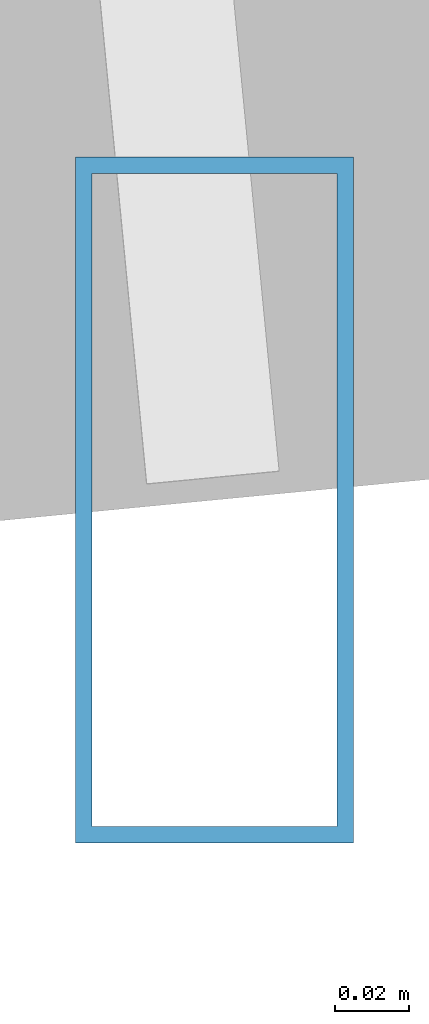
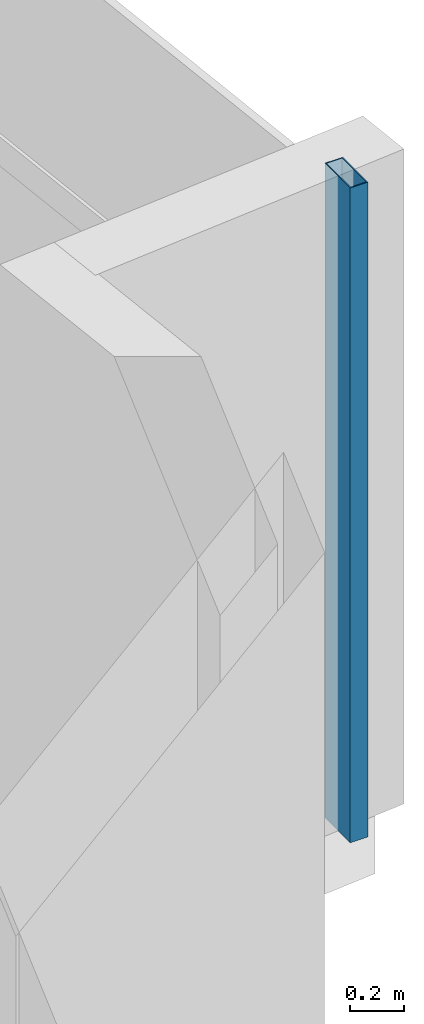
# One storey, part 14 of 27: 1 member, 1 element without a shape of its own.
"""IFC4 building model written with IfcOpenShell, lengths in metres."""

import ifcopenshell
import ifcopenshell.guid

model = None  # the IFC model being written
_history = None  # IfcOwnerHistory: only IFC2X3 demands one
_inside = {}  # id of a spatial element -> (the spatial element, [elements in it])
_under = {}  # id of a project, library or spatial element -> (it, [spatial elements below it])
_declared = {}  # id of a project -> (the project, [libraries it declares])
_typed = {}  # id of a type object -> (the type object, [elements of that type])
_made_of = {}  # id of a material, layer set ... -> (it, [elements and type objects made of it])


def new_model(schema):
    """Start an empty IFC model of exactly this schema.

    Asked for "IFC4X3", IfcOpenShell would pick the latest addendum, in which some entities
    have other attributes; the version numbers below select the first issue.
    IFC2X3 requires an IfcOwnerHistory on every rooted entity: one is made here for all.
    """
    global model, _history
    if schema == "IFC4X3":
        model = ifcopenshell.file(schema_version=(4, 3, 0, 0))
    else:
        model = ifcopenshell.file(schema=schema)
    _inside.clear()
    _under.clear()
    _declared.clear()
    _typed.clear()
    _made_of.clear()
    _history = None
    if model.schema == "IFC2X3":
        org = make("IfcOrganization", Name="unknown")
        user = make(
            "IfcPersonAndOrganization",
            ThePerson=make("IfcPerson", FamilyName="unknown"),
            TheOrganization=org,
        )
        app = make(
            "IfcApplication",
            ApplicationDeveloper=org,
            Version="unknown",
            ApplicationFullName="unknown",
            ApplicationIdentifier="unknown",
        )
        _history = make(
            "IfcOwnerHistory",
            OwningUser=user,
            OwningApplication=app,
            ChangeAction="ADDED",
            CreationDate=0,
        )
    return model


def make(cls, **values):
    """One entity of the class cls with the attributes given. An attribute that is None is left unset."""
    return model.create_entity(
        cls, **{name: value for name, value in values.items() if value is not None}
    )


def rooted(cls, **values):
    """An entity with a GlobalId (a new one), such as an element, a storey or a relation."""
    return make(cls, GlobalId=ifcopenshell.guid.new(), OwnerHistory=_history, **values)


def si_unit(unit_type, name, prefix=None):
    """IfcSIUnit, for example si_unit("LENGTHUNIT", "METRE", prefix="MILLI")."""
    return make("IfcSIUnit", UnitType=unit_type, Prefix=prefix, Name=name)


def assignment(units):
    """IfcUnitAssignment: the units of a project."""
    return None if units is None else make("IfcUnitAssignment", Units=units)


def point(xyz):
    """IfcCartesianPoint."""
    return None if xyz is None else make("IfcCartesianPoint", Coordinates=xyz)


def direction(xyz):
    """IfcDirection."""
    return None if xyz is None else make("IfcDirection", DirectionRatios=xyz)


def frame(location, z_axis=None, x_axis=None):
    """IfcAxis2Placement3D, a coordinate frame: its origin and axes. An axis left out is left unset."""
    return make(
        "IfcAxis2Placement3D",
        Location=point(location),
        Axis=direction(z_axis),
        RefDirection=direction(x_axis),
    )


def frame_2d(location, x_axis=None):
    """IfcAxis2Placement2D, a coordinate frame in the plane: its origin and x axis."""
    return make(
        "IfcAxis2Placement2D", Location=point(location), RefDirection=direction(x_axis)
    )


def origin():
    """The frame at (0, 0, 0) with its axes left unset."""
    return frame((0.0, 0.0, 0.0))


def origin_2d():
    """The frame at (0, 0) in the plane with its x axis left unset."""
    return frame_2d((0.0, 0.0))


def place(relative_to, where):
    """IfcLocalPlacement: puts the frame where relative to a parent placement (None: the world)."""
    return make(
        "IfcLocalPlacement", PlacementRelTo=relative_to, RelativePlacement=where
    )


def context(
    kind, dimensions, precision=None, world=None, true_north=None, identifier=None
):
    """IfcGeometricRepresentationContext, for example the 3D "Model" context."""
    return make(
        "IfcGeometricRepresentationContext",
        ContextIdentifier=identifier,
        ContextType=kind,
        CoordinateSpaceDimension=dimensions,
        Precision=precision,
        WorldCoordinateSystem=world,
        TrueNorth=true_north,
    )


def subcontext(parent, identifier, kind, view, scale=None):
    """IfcGeometricRepresentationSubContext, for example "Body" below "Model"."""
    return make(
        "IfcGeometricRepresentationSubContext",
        ContextIdentifier=identifier,
        ContextType=kind,
        ParentContext=parent,
        TargetScale=scale,
        TargetView=view,
    )


def project(units=None, contexts=None):
    """IfcProject with its units and contexts."""
    return rooted(
        "IfcProject",
        Name="project",
        RepresentationContexts=contexts,
        UnitsInContext=assignment(units),
    )


def spatial(cls, under=None, at=None, **own):
    """A site, building, storey or space (cls), placed at a placement, below another one or the project."""
    s = rooted(cls, ObjectPlacement=at, **own)
    if under is not None:
        _under.setdefault(under.id(), (under, []))[1].append(s)
    return s


def profile(cls, at=None, kind="AREA", **sizes):
    """A parametric profile (cls). Its sizes go by their IFC names, for example OverallWidth=200.0."""
    return make(cls, ProfileType=kind, Position=at, **sizes)


def hollow_rectangle(**sizes):
    """IfcRectangleHollowProfileDef."""
    return profile("IfcRectangleHollowProfileDef", **sizes)


def extrude(swept, where, along, depth):
    """IfcExtrudedAreaSolid: the profile swept, set in the frame where, extruded along a direction by depth."""
    return make(
        "IfcExtrudedAreaSolid",
        SweptArea=swept,
        Position=where,
        ExtrudedDirection=direction(along),
        Depth=depth,
    )


def shape(context_of_items, identifier, shape_type, items):
    """IfcShapeRepresentation: the items that make up one representation, for example the "Body"."""
    return make(
        "IfcShapeRepresentation",
        ContextOfItems=context_of_items,
        RepresentationIdentifier=identifier,
        RepresentationType=shape_type,
        Items=items,
    )


def source(mapping_origin, context_of_items, identifier, shape_type, items):
    """IfcRepresentationMap: a shape defined once, which mapped items show again and again."""
    return make(
        "IfcRepresentationMap",
        MappingOrigin=mapping_origin,
        MappedRepresentation=shape(context_of_items, identifier, shape_type, items),
    )


def transform(
    local_origin,
    x_axis=None,
    y_axis=None,
    z_axis=None,
    scale=None,
    scale2=None,
    scale3=None,
    uniform=True,
):
    """IfcCartesianTransformationOperator3D, or its non-uniform kind. x_axis, y_axis, z_axis: its Axis1, 2, 3."""
    if uniform:
        return make(
            "IfcCartesianTransformationOperator3D",
            Axis1=direction(x_axis),
            Axis2=direction(y_axis),
            LocalOrigin=point(local_origin),
            Scale=scale,
            Axis3=direction(z_axis),
        )
    return make(
        "IfcCartesianTransformationOperator3DnonUniform",
        Axis1=direction(x_axis),
        Axis2=direction(y_axis),
        LocalOrigin=point(local_origin),
        Scale=scale,
        Axis3=direction(z_axis),
        Scale2=scale2,
        Scale3=scale3,
    )


def mapped(mapping_source, mapping_target):
    """IfcMappedItem: shows the shape of a source again, moved by a transform."""
    return make(
        "IfcMappedItem", MappingSource=mapping_source, MappingTarget=mapping_target
    )


def material(Name=None, Category=None):
    """IfcMaterial."""
    return make("IfcMaterial", Name=Name, Category=Category)


def material_profile(
    of_material, cross_section, Name=None, Category=None, Priority=None
):
    """IfcMaterialProfile: a cross section and its material."""
    return make(
        "IfcMaterialProfile",
        Name=Name,
        Material=of_material,
        Profile=cross_section,
        Priority=Priority,
        Category=Category,
    )


def profile_set(profiles, Name=None, composite=None):
    """IfcMaterialProfileSet."""
    return make(
        "IfcMaterialProfileSet",
        Name=Name,
        MaterialProfiles=profiles,
        CompositeProfile=composite,
    )


def made_of(thing, what):
    """Note that an element or type object is made of a material, layer set ...; save() writes the relation."""
    if what is not None:
        _made_of.setdefault(what.id(), (what, []))[1].append(thing)
    return thing


def type_object(cls, material=None, **own):
    """A type object (cls), such as IfcWallType, which elements share."""
    return made_of(rooted(cls, **own), material)


def type_shapes(of_type, sources):
    """Give a type object the sources (RepresentationMaps) that its elements show as mapped items."""
    of_type.RepresentationMaps = sources


def element(
    cls,
    number,
    at=None,
    inside=None,
    cuts=None,
    type_object=None,
    material=None,
    context=None,
    identifier="Body",
    shape_type=None,
    held_by="IfcProductDefinitionShape",
    body=None,
    shapes=None,
    **own,
):
    """One element of the class cls, such as IfcWall. Its Tag is "e" and its number.

    at: its placement. inside: the storey or other place that contains it. cuts: it is an
    opening in that element (IfcRelVoidsElement). A single representation is given by context,
    identifier, shape_type and body (its items); several are given by shapes. held_by: the class
    of the entity that holds the representations. save() writes the other relations.
    """
    e = rooted(cls, Tag="e%d" % number, ObjectPlacement=at, **own)
    if body is not None:
        shapes = [shape(context, identifier, shape_type, body)]
    if shapes is not None:
        e.Representation = make(held_by, Representations=shapes)
    if inside is not None:
        _inside.setdefault(inside.id(), (inside, []))[1].append(e)
    if cuts is not None:
        rooted(
            "IfcRelVoidsElement", RelatingBuildingElement=cuts, RelatedOpeningElement=e
        )
    if type_object is not None:
        _typed.setdefault(type_object.id(), (type_object, []))[1].append(e)
    return made_of(e, material)


def aggregate(whole, parts):
    """IfcRelAggregates: a whole, such as a stair, and the parts it consists of."""
    return rooted("IfcRelAggregates", RelatingObject=whole, RelatedObjects=parts)


def save(model, path):
    """Write the relations noted so far, then the file.

    IfcRelAggregates (storeys below a building ...), IfcRelContainedInSpatialStructure (elements
    in a storey), IfcRelDefinesByType, IfcRelAssociatesMaterial and IfcRelDeclares: one each for
    every whole, place, type object, material and project.
    """
    for whole, parts in _under.values():
        aggregate(whole, parts)
    for where, things in _inside.values():
        rooted(
            "IfcRelContainedInSpatialStructure",
            RelatedElements=things,
            RelatingStructure=where,
        )
    for kind, things in _typed.values():
        rooted("IfcRelDefinesByType", RelatedObjects=things, RelatingType=kind)
    for what, things in _made_of.values():
        rooted("IfcRelAssociatesMaterial", RelatedObjects=things, RelatingMaterial=what)
    for by, libraries in _declared.values():
        rooted("IfcRelDeclares", RelatingContext=by, RelatedDefinitions=libraries)
    model.write(path)


model = new_model("IFC4")

# Units and contexts
model_context = context("Model", 3, precision=1e-05, world=origin(), true_north=direction((0.0, 1.0)))
body_context = subcontext(model_context, "Body", "Model", "MODEL_VIEW")
ifc_project = project(units=[si_unit("LENGTHUNIT", "METRE"), si_unit("AREAUNIT", "SQUARE_METRE"), si_unit("VOLUMEUNIT", "CUBIC_METRE"), si_unit("PLANEANGLEUNIT", "RADIAN"), si_unit("MASSUNIT", "GRAM", prefix="KILO")], contexts=[model_context])

# Site, building, storey
site_placement = place(None, origin())
site = spatial("IfcSite", under=ifc_project, at=site_placement, CompositionType="ELEMENT")
building_placement = place(site_placement, origin())
building = spatial("IfcBuilding", under=site, at=building_placement, Name="Astriad Promenade Condominiums", CompositionType="ELEMENT")
storey_placement = place(building_placement, frame((0.0, 0.0, 109.800048828125)))
storey = spatial("IfcBuildingStorey", under=building, at=storey_placement, Name="L31", CompositionType="ELEMENT", Elevation=109.800048828125)

# Curtain wall, member
ifc_material_1 = material(Name="Anodised aluminium Black Dark Glass Unitised", Category="aluminium")
curtain_wall_type = type_object("IfcCurtainWallType", Name="CW-B2-DARK", PredefinedType="USERDEFINED", material=ifc_material_1)
curtain_wall_placement = place(storey_placement, origin())
curtain_wall = element("IfcCurtainWall", 1, at=curtain_wall_placement, inside=storey, type_object=curtain_wall_type, Name="CW-L31-E", ObjectType="UNITISED_CURTAIN_WALL", PredefinedType="USERDEFINED")
ifc_material_2 = material(Name="Anodised aluminium 6063-T6 Black", Category="aluminium")
ifc_material_profile = material_profile(ifc_material_2, hollow_rectangle(XDim=0.074951171875, YDim=0.18505859375, WallThickness=0.00439453125, at=origin_2d()), Name="ALU-MUL-75X185")
ifc_profile_set = profile_set([ifc_material_profile], Name="Anodised aluminium 6063-T6 Black")
member_type = type_object("IfcMemberType", Name="MUL-ALU-MUL-75X185", PredefinedType="MULLION", material=ifc_profile_set)
shared_shape = source(origin(), body_context, "Body", "SweptSolid", [
    extrude(hollow_rectangle(XDim=0.074951171875, YDim=0.18505859375, WallThickness=0.00439453125, at=origin_2d()), origin(), (0.0, 0.0, 1.0), 2.93994140625),
])
type_shapes(member_type, [shared_shape])
member_placement = place(storey_placement, frame((69.4521484375, 11.67822265625, 0.0), z_axis=(0.0, 0.0, 1.0), x_axis=(1.0, 0.0, 0.0)))
member = element("IfcMember", 2, at=member_placement, type_object=member_type, Name="CW-L31-E-MUL-03", PredefinedType="MULLION", context=body_context, shape_type="MappedRepresentation", body=[
    mapped(shared_shape, transform((0.0, 0.0, 0.0), scale=1.0)),
])
aggregate(curtain_wall, [member])

save(model, "model.ifc")
